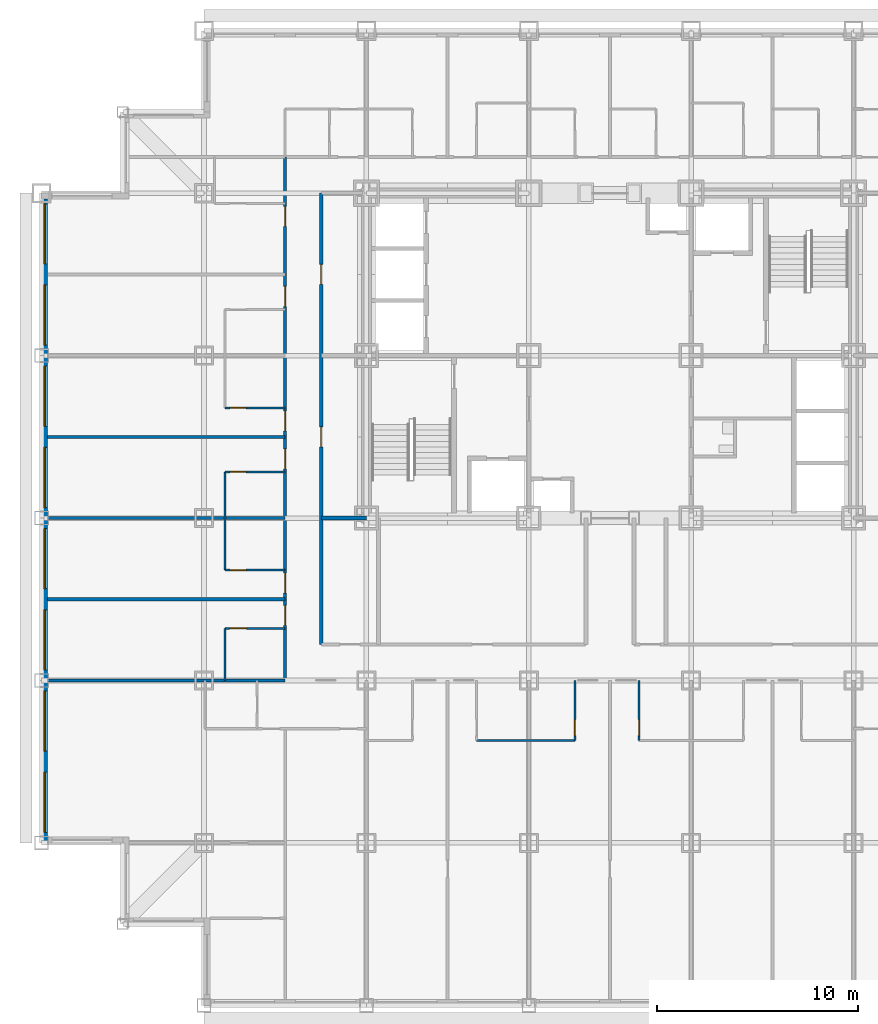
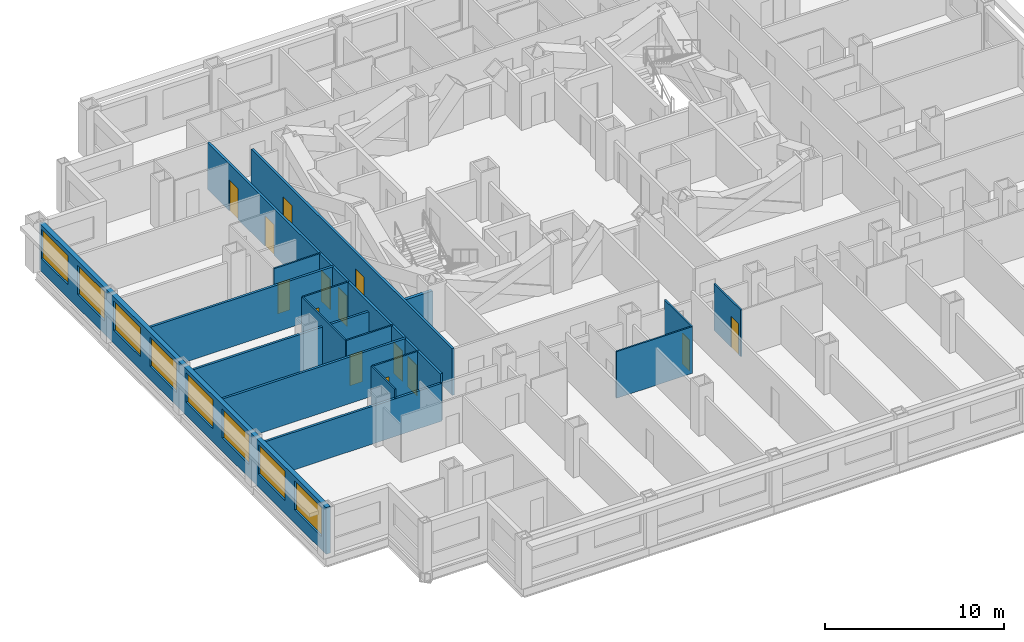
# One storey, part 4 of 12: 17 walls, 14 doors, 8 windows, 22 openings.
"""IFC4 building model written with IfcOpenShell, lengths in metres."""

from ifc_helpers import new_model, si_unit, direction, frame, frame_2d, origin, place, context, subcontext, project, spatial, rectangle, extrude, material, layer, layer_set, type_object, element, fill, save


model = new_model("IFC4")

# Units and contexts
model_context = context("Model", 3, precision=1e-05, world=origin(), true_north=direction((0.0, 1.0)))
body_context = subcontext(model_context, "Body", "Model", "MODEL_VIEW")
ifc_project = project(units=[si_unit("LENGTHUNIT", "METRE"), si_unit("AREAUNIT", "SQUARE_METRE"), si_unit("VOLUMEUNIT", "CUBIC_METRE"), si_unit("PLANEANGLEUNIT", "RADIAN"), si_unit("MASSUNIT", "GRAM", prefix="KILO")], contexts=[model_context])

# Site, building, storey
site_placement = place(None, origin())
site = spatial("IfcSite", under=ifc_project, at=site_placement, CompositionType="ELEMENT")
building_placement = place(site_placement, origin())
building = spatial("IfcBuilding", under=site, at=building_placement, Name="Kopane Lantern Tower", CompositionType="ELEMENT")
storey_placement = place(building_placement, frame((0.0, 0.0, 36.39990234375)))
storey = spatial("IfcBuildingStorey", under=building, at=storey_placement, Name="L07", CompositionType="ELEMENT", Elevation=36.39990234375)

# Wall
ifc_material_1 = material(Name="Moisture-resistant board on steel studs", Category="steel")
ifc_layer_1 = layer(ifc_material_1, 0.10009765625)
ifc_layer_set_1 = layer_set([ifc_layer_1], Name="BATHROOM WALL 100")
wall_type_1 = type_object("IfcWallType", Name="BATHROOM WALL 100", PredefinedType="PARTITIONING", material=ifc_layer_set_1)
wall_1_placement = place(storey_placement, frame((21.699951171875, 13.199951171875, 0.0), z_axis=(0.0, 0.0, 1.0), x_axis=(1.0, 0.0, 0.0)))
element("IfcWall", 1, at=wall_1_placement, inside=storey, type_object=wall_type_1, Name="Bathroom Wall 100 L07", PredefinedType="PARTITIONING", context=body_context, shape_type="SweptSolid", body=[
    extrude(rectangle(XDim=4.900146484375, YDim=0.10009765625, at=frame_2d((2.4501953125, 0.0))), origin(), (0.0, 0.0, 1.0), 3.190185546875),
])

# Wall, opening, door
wall_2_placement = place(storey_placement, frame((26.60009765625, 16.199951171875, 0.0), z_axis=(0.0, 0.0, 1.0), x_axis=(0.0, -1.0, 0.0)))
wall_2 = element("IfcWall", 2, at=wall_2_placement, inside=storey, type_object=wall_type_1, Name="Bathroom Wall 100 L07", PredefinedType="PARTITIONING", context=body_context, shape_type="SweptSolid", body=[
    extrude(rectangle(XDim=3.0, YDim=0.10009765625, at=frame_2d((1.5, 0.0))), origin(), (0.0, 0.0, 1.0), 3.190185546875),
])
opening_1_placement = place(wall_2_placement, frame((1.949951171875, 0.0, 0.0)))
opening_1 = element("IfcOpeningElement", 3, at=opening_1_placement, cuts=wall_2, Name="Opening L07-014", PredefinedType="OPENING", context=body_context, shape_type="SweptSolid", body=[
    extrude(rectangle(XDim=0.800048828125, YDim=2.10009765625, at=frame_2d((0.39990234375, 1.050048828125))), frame((0.0, 0.06005859375, 0.0), z_axis=(0.0, -1.0, 0.0), x_axis=(1.0, 0.0, 0.0)), (0.0, 0.0, 1.0), 0.1201171875),
])
ifc_material_2 = material(Name="Timber door set", Category="wood")
door_type_1 = type_object("IfcDoorType", Name="DOOR D2 800x2100", OperationType="SINGLE_SWING_LEFT", PredefinedType="DOOR", material=ifc_material_2)
door_1_placement = place(opening_1_placement, origin())
door_1 = element("IfcDoor", 4, at=door_1_placement, inside=storey, type_object=door_type_1, Name="Door L07-014", OperationType="SINGLE_SWING_LEFT", OverallHeight=2.10009765625, OverallWidth=0.800048828125, PredefinedType="DOOR", context=body_context, shape_type="SweptSolid", body=[
    extrude(rectangle(XDim=0.800048828125, YDim=2.10009765625, at=frame_2d((0.39990234375, 1.050048828125))), frame((0.0, 0.02490234375, 0.0), z_axis=(0.0, -1.0, 0.0), x_axis=(1.0, 0.0, 0.0)), (0.0, 0.0, 1.0), 0.050048828125),
])
fill(opening_1, door_1)

wall_3_placement = place(storey_placement, frame((29.800048828125, 16.199951171875, 0.0), z_axis=(0.0, 0.0, 1.0), x_axis=(0.0, -1.0, 0.0)))
wall_3 = element("IfcWall", 5, at=wall_3_placement, inside=storey, type_object=wall_type_1, Name="Bathroom Wall 100 L07", PredefinedType="PARTITIONING", context=body_context, shape_type="SweptSolid", body=[
    extrude(rectangle(XDim=3.0, YDim=0.10009765625, at=frame_2d((1.5, 0.0))), origin(), (0.0, 0.0, 1.0), 3.190185546875),
])
opening_2_placement = place(wall_3_placement, frame((1.949951171875, 0.0, 0.0)))
opening_2 = element("IfcOpeningElement", 6, at=opening_2_placement, cuts=wall_3, Name="Opening L07-016", PredefinedType="OPENING", context=body_context, shape_type="SweptSolid", body=[
    extrude(rectangle(XDim=0.800048828125, YDim=2.10009765625, at=frame_2d((0.39990234375, 1.050048828125))), frame((0.0, 0.06005859375, 0.0), z_axis=(0.0, -1.0, 0.0), x_axis=(1.0, 0.0, 0.0)), (0.0, 0.0, 1.0), 0.1201171875),
])
door_2_placement = place(opening_2_placement, origin())
door_2 = element("IfcDoor", 7, at=door_2_placement, inside=storey, type_object=door_type_1, Name="Door L07-016", OperationType="SINGLE_SWING_RIGHT", OverallHeight=2.10009765625, OverallWidth=0.800048828125, PredefinedType="DOOR", context=body_context, shape_type="SweptSolid", body=[
    extrude(rectangle(XDim=0.800048828125, YDim=2.10009765625, at=frame_2d((0.39990234375, 1.050048828125))), frame((0.0, 0.02490234375, 0.0), z_axis=(0.0, -1.0, 0.0), x_axis=(1.0, 0.0, 0.0)), (0.0, 0.0, 1.0), 0.050048828125),
])
fill(opening_2, door_2)

# Wall
wall_4_placement = place(storey_placement, frame((9.14990234375, 16.199951171875, 0.0), z_axis=(0.0, 0.0, 1.0), x_axis=(0.0, 1.0, 0.0)))
element("IfcWall", 8, at=wall_4_placement, inside=storey, type_object=wall_type_1, Name="Bathroom Wall 100 L07", PredefinedType="PARTITIONING", context=body_context, shape_type="SweptSolid", body=[
    extrude(rectangle(XDim=2.60009765625, YDim=0.10009765625, at=frame_2d((1.300048828125, 0.0))), origin(), (0.0, 0.0, 1.0), 3.190185546875),
])

# Wall, opening, door
wall_5_placement = place(storey_placement, frame((12.14990234375, 18.800048828125, 0.0), z_axis=(0.0, 0.0, 1.0), x_axis=(-1.0, 0.0, 0.0)))
wall_5 = element("IfcWall", 9, at=wall_5_placement, inside=storey, type_object=wall_type_1, Name="Bathroom Wall 100 L07", PredefinedType="PARTITIONING", context=body_context, shape_type="SweptSolid", body=[
    extrude(rectangle(XDim=3.0, YDim=0.10009765625, at=frame_2d((1.5, 0.0))), origin(), (0.0, 0.0, 1.0), 3.190185546875),
])
opening_3_placement = place(wall_5_placement, frame((1.925048828125, 0.0, 0.0)))
opening_3 = element("IfcOpeningElement", 10, at=opening_3_placement, cuts=wall_5, Name="Opening L07-035", PredefinedType="OPENING", context=body_context, shape_type="SweptSolid", body=[
    extrude(rectangle(XDim=0.85009765625, YDim=2.10009765625, at=frame_2d((0.425048828125, 1.050048828125))), frame((0.0, 0.06005859375, 0.0), z_axis=(0.0, -1.0, 0.0), x_axis=(1.0, 0.0, 0.0)), (0.0, 0.0, 1.0), 0.1201171875),
])
ifc_material_3 = material(Name="Timber door set", Category="wood")
door_type_2 = type_object("IfcDoorType", Name="DOOR D4 850x2100", OperationType="SINGLE_SWING_LEFT", PredefinedType="DOOR", material=ifc_material_3)
door_3_placement = place(opening_3_placement, origin())
door_3 = element("IfcDoor", 11, at=door_3_placement, inside=storey, type_object=door_type_2, Name="Door L07-035", OperationType="SINGLE_SWING_RIGHT", OverallHeight=2.10009765625, OverallWidth=0.85009765625, PredefinedType="DOOR", context=body_context, shape_type="SweptSolid", body=[
    extrude(rectangle(XDim=0.85009765625, YDim=2.10009765625, at=frame_2d((0.425048828125, 1.050048828125))), frame((0.0, 0.02490234375, 0.0), z_axis=(0.0, -1.0, 0.0), x_axis=(1.0, 0.0, 0.0)), (0.0, 0.0, 1.0), 0.050048828125),
])
fill(opening_3, door_3)

# Wall
wall_6_placement = place(storey_placement, frame((9.14990234375, 21.699951171875, 0.0), z_axis=(0.0, 0.0, 1.0), x_axis=(0.0, 1.0, 0.0)))
element("IfcWall", 12, at=wall_6_placement, inside=storey, type_object=wall_type_1, Name="Bathroom Wall 100 L07", PredefinedType="PARTITIONING", context=body_context, shape_type="SweptSolid", body=[
    extrude(rectangle(XDim=4.900146484375, YDim=0.10009765625, at=frame_2d((2.4501953125, 0.0))), origin(), (0.0, 0.0, 1.0), 3.190185546875),
])

# Wall, opening, door
wall_7_placement = place(storey_placement, frame((12.14990234375, 21.699951171875, 0.0), z_axis=(0.0, 0.0, 1.0), x_axis=(-1.0, 0.0, 0.0)))
wall_7 = element("IfcWall", 13, at=wall_7_placement, inside=storey, type_object=wall_type_1, Name="Bathroom Wall 100 L07", PredefinedType="PARTITIONING", context=body_context, shape_type="SweptSolid", body=[
    extrude(rectangle(XDim=3.0, YDim=0.10009765625, at=frame_2d((1.5, 0.0))), origin(), (0.0, 0.0, 1.0), 3.190185546875),
])
opening_4_placement = place(wall_7_placement, frame((1.949951171875, 0.0, 0.0)))
opening_4 = element("IfcOpeningElement", 14, at=opening_4_placement, cuts=wall_7, Name="Opening L07-037", PredefinedType="OPENING", context=body_context, shape_type="SweptSolid", body=[
    extrude(rectangle(XDim=0.800048828125, YDim=2.10009765625, at=frame_2d((0.39990234375, 1.050048828125))), frame((0.0, 0.06005859375, 0.0), z_axis=(0.0, -1.0, 0.0), x_axis=(1.0, 0.0, 0.0)), (0.0, 0.0, 1.0), 0.1201171875),
])
door_4_placement = place(opening_4_placement, origin())
door_4 = element("IfcDoor", 15, at=door_4_placement, inside=storey, type_object=door_type_1, Name="Door L07-037", OperationType="SINGLE_SWING_LEFT", OverallHeight=2.10009765625, OverallWidth=0.800048828125, PredefinedType="DOOR", context=body_context, shape_type="SweptSolid", body=[
    extrude(rectangle(XDim=0.800048828125, YDim=2.10009765625, at=frame_2d((0.39990234375, 1.050048828125))), frame((0.0, 0.02490234375, 0.0), z_axis=(0.0, -1.0, 0.0), x_axis=(1.0, 0.0, 0.0)), (0.0, 0.0, 1.0), 0.050048828125),
])
fill(opening_4, door_4)

wall_8_placement = place(storey_placement, frame((12.14990234375, 26.60009765625, 0.0), z_axis=(0.0, 0.0, 1.0), x_axis=(-1.0, 0.0, 0.0)))
wall_8 = element("IfcWall", 16, at=wall_8_placement, inside=storey, type_object=wall_type_1, Name="Bathroom Wall 100 L07", PredefinedType="PARTITIONING", context=body_context, shape_type="SweptSolid", body=[
    extrude(rectangle(XDim=3.0, YDim=0.10009765625, at=frame_2d((1.5, 0.0))), origin(), (0.0, 0.0, 1.0), 3.190185546875),
])
opening_5_placement = place(wall_8_placement, frame((1.949951171875, 0.0, 0.0)))
opening_5 = element("IfcOpeningElement", 17, at=opening_5_placement, cuts=wall_8, Name="Opening L07-039", PredefinedType="OPENING", context=body_context, shape_type="SweptSolid", body=[
    extrude(rectangle(XDim=0.800048828125, YDim=2.10009765625, at=frame_2d((0.39990234375, 1.050048828125))), frame((0.0, 0.06005859375, 0.0), z_axis=(0.0, -1.0, 0.0), x_axis=(1.0, 0.0, 0.0)), (0.0, 0.0, 1.0), 0.1201171875),
])
door_5_placement = place(opening_5_placement, origin())
door_5 = element("IfcDoor", 18, at=door_5_placement, inside=storey, type_object=door_type_1, Name="Door L07-039", OperationType="SINGLE_SWING_RIGHT", OverallHeight=2.10009765625, OverallWidth=0.800048828125, PredefinedType="DOOR", context=body_context, shape_type="SweptSolid", body=[
    extrude(rectangle(XDim=0.800048828125, YDim=2.10009765625, at=frame_2d((0.39990234375, 1.050048828125))), frame((0.0, 0.02490234375, 0.0), z_axis=(0.0, -1.0, 0.0), x_axis=(1.0, 0.0, 0.0)), (0.0, 0.0, 1.0), 0.050048828125),
])
fill(opening_5, door_5)

wall_9_placement = place(storey_placement, frame((12.14990234375, 29.800048828125, 0.0), z_axis=(0.0, 0.0, 1.0), x_axis=(-1.0, 0.0, 0.0)))
wall_9 = element("IfcWall", 19, at=wall_9_placement, inside=storey, type_object=wall_type_1, Name="Bathroom Wall 100 L07", PredefinedType="PARTITIONING", context=body_context, shape_type="SweptSolid", body=[
    extrude(rectangle(XDim=3.0, YDim=0.10009765625, at=frame_2d((1.5, 0.0))), origin(), (0.0, 0.0, 1.0), 3.190185546875),
])
opening_6_placement = place(wall_9_placement, frame((1.949951171875, 0.0, 0.0)))
opening_6 = element("IfcOpeningElement", 20, at=opening_6_placement, cuts=wall_9, Name="Opening L07-041", PredefinedType="OPENING", context=body_context, shape_type="SweptSolid", body=[
    extrude(rectangle(XDim=0.800048828125, YDim=2.10009765625, at=frame_2d((0.39990234375, 1.050048828125))), frame((0.0, 0.06005859375, 0.0), z_axis=(0.0, -1.0, 0.0), x_axis=(1.0, 0.0, 0.0)), (0.0, 0.0, 1.0), 0.1201171875),
])
door_6_placement = place(opening_6_placement, origin())
door_6 = element("IfcDoor", 21, at=door_6_placement, inside=storey, type_object=door_type_1, Name="Door L07-041", OperationType="SINGLE_SWING_LEFT", OverallHeight=2.10009765625, OverallWidth=0.800048828125, PredefinedType="DOOR", context=body_context, shape_type="SweptSolid", body=[
    extrude(rectangle(XDim=0.800048828125, YDim=2.10009765625, at=frame_2d((0.39990234375, 1.050048828125))), frame((0.0, 0.02490234375, 0.0), z_axis=(0.0, -1.0, 0.0), x_axis=(1.0, 0.0, 0.0)), (0.0, 0.0, 1.0), 0.050048828125),
])
fill(opening_6, door_6)

# Wall, openings, doors
ifc_material_4 = material(Name="Gypsum board on steel studs", Category="steel")
ifc_layer_2 = layer(ifc_material_4, 0.14990234375)
ifc_layer_set_2 = layer_set([ifc_layer_2], Name="CORRIDOR WALL 150 EI 60")
wall_type_2 = type_object("IfcWallType", Name="CORRIDOR WALL 150 EI 60", PredefinedType="PARTITIONING", material=ifc_layer_set_2)
wall_10_placement = place(storey_placement, frame((12.14990234375, 16.199951171875, 0.0), z_axis=(0.0, 0.0, 1.0), x_axis=(0.0, 1.0, 0.0)))
wall_10 = element("IfcWall", 22, at=wall_10_placement, inside=storey, type_object=wall_type_2, Name="Corridor Wall 150 Ei 60 L07", PredefinedType="PARTITIONING", context=body_context, shape_type="SweptSolid", body=[
    extrude(rectangle(XDim=26.10009765625, YDim=0.14990234375, at=frame_2d((13.050048828125, 0.0))), origin(), (0.0, 0.0, 1.0), 3.190185546875),
])
opening_7_placement = place(wall_10_placement, frame((2.75, 0.0, 0.0)))
opening_7 = element("IfcOpeningElement", 23, at=opening_7_placement, cuts=wall_10, Name="Opening L07-036", PredefinedType="OPENING", context=body_context, shape_type="SweptSolid", body=[
    extrude(rectangle(XDim=1.0, YDim=2.10009765625, at=frame_2d((0.5, 1.050048828125))), frame((0.0, 0.0849609375, 0.0), z_axis=(0.0, -1.0, 0.0), x_axis=(1.0, 0.0, 0.0)), (0.0, 0.0, 1.0), 0.169921875),
])
opening_8_placement = place(wall_10_placement, frame((4.35009765625, 0.0, 0.0)))
opening_8 = element("IfcOpeningElement", 24, at=opening_8_placement, cuts=wall_10, Name="Opening L07-038", PredefinedType="OPENING", context=body_context, shape_type="SweptSolid", body=[
    extrude(rectangle(XDim=1.0, YDim=2.10009765625, at=frame_2d((0.5, 1.050048828125))), frame((0.0, 0.0849609375, 0.0), z_axis=(0.0, -1.0, 0.0), x_axis=(1.0, 0.0, 0.0)), (0.0, 0.0, 1.0), 0.169921875),
])
opening_9_placement = place(wall_10_placement, frame((10.550048828125, 0.0, 0.0)))
opening_9 = element("IfcOpeningElement", 25, at=opening_9_placement, cuts=wall_10, Name="Opening L07-040", PredefinedType="OPENING", context=body_context, shape_type="SweptSolid", body=[
    extrude(rectangle(XDim=1.0, YDim=2.10009765625, at=frame_2d((0.5, 1.050048828125))), frame((0.0, 0.0849609375, 0.0), z_axis=(0.0, -1.0, 0.0), x_axis=(1.0, 0.0, 0.0)), (0.0, 0.0, 1.0), 0.169921875),
])
opening_10_placement = place(wall_10_placement, frame((12.449951171875, 0.0, 0.0)))
opening_10 = element("IfcOpeningElement", 26, at=opening_10_placement, cuts=wall_10, Name="Opening L07-042", PredefinedType="OPENING", context=body_context, shape_type="SweptSolid", body=[
    extrude(rectangle(XDim=1.0, YDim=2.10009765625, at=frame_2d((0.5, 1.050048828125))), frame((0.0, 0.0849609375, 0.0), z_axis=(0.0, -1.0, 0.0), x_axis=(1.0, 0.0, 0.0)), (0.0, 0.0, 1.0), 0.169921875),
])
opening_11_placement = place(wall_10_placement, frame((18.64990234375, 0.0, 0.0)))
opening_11 = element("IfcOpeningElement", 27, at=opening_11_placement, cuts=wall_10, Name="Opening L07-044", PredefinedType="OPENING", context=body_context, shape_type="SweptSolid", body=[
    extrude(rectangle(XDim=1.0, YDim=2.10009765625, at=frame_2d((0.5, 1.050048828125))), frame((0.0, 0.0849609375, 0.0), z_axis=(0.0, -1.0, 0.0), x_axis=(1.0, 0.0, 0.0)), (0.0, 0.0, 1.0), 0.169921875),
])
opening_12_placement = place(wall_10_placement, frame((22.64990234375, 0.0, 0.0)))
opening_12 = element("IfcOpeningElement", 28, at=opening_12_placement, cuts=wall_10, Name="Opening L07-046", PredefinedType="OPENING", context=body_context, shape_type="SweptSolid", body=[
    extrude(rectangle(XDim=1.0, YDim=2.10009765625, at=frame_2d((0.5, 1.050048828125))), frame((0.0, 0.0849609375, 0.0), z_axis=(0.0, -1.0, 0.0), x_axis=(1.0, 0.0, 0.0)), (0.0, 0.0, 1.0), 0.169921875),
])
ifc_material_5 = material(Name="Steel door set", Category="steel")
door_type_3 = type_object("IfcDoorType", Name="DOOR D1 1000x2100 FD30S", OperationType="SINGLE_SWING_LEFT", PredefinedType="DOOR", material=ifc_material_5)
door_7_placement = place(opening_7_placement, origin())
door_7 = element("IfcDoor", 29, at=door_7_placement, inside=storey, type_object=door_type_3, Name="Door L07-036", OperationType="SINGLE_SWING_LEFT", OverallHeight=2.10009765625, OverallWidth=1.0, PredefinedType="DOOR", context=body_context, shape_type="SweptSolid", body=[
    extrude(rectangle(XDim=1.0, YDim=2.10009765625, at=frame_2d((0.5, 1.050048828125))), frame((0.0, 0.02490234375, 0.0), z_axis=(0.0, -1.0, 0.0), x_axis=(1.0, 0.0, 0.0)), (0.0, 0.0, 1.0), 0.050048828125),
])
fill(opening_7, door_7)
door_8_placement = place(opening_8_placement, origin())
door_8 = element("IfcDoor", 30, at=door_8_placement, inside=storey, type_object=door_type_3, Name="Door L07-038", OperationType="SINGLE_SWING_RIGHT", OverallHeight=2.10009765625, OverallWidth=1.0, PredefinedType="DOOR", context=body_context, shape_type="SweptSolid", body=[
    extrude(rectangle(XDim=1.0, YDim=2.10009765625, at=frame_2d((0.5, 1.050048828125))), frame((0.0, 0.02490234375, 0.0), z_axis=(0.0, -1.0, 0.0), x_axis=(1.0, 0.0, 0.0)), (0.0, 0.0, 1.0), 0.050048828125),
])
fill(opening_8, door_8)
door_9_placement = place(opening_9_placement, origin())
door_9 = element("IfcDoor", 31, at=door_9_placement, inside=storey, type_object=door_type_3, Name="Door L07-040", OperationType="SINGLE_SWING_LEFT", OverallHeight=2.10009765625, OverallWidth=1.0, PredefinedType="DOOR", context=body_context, shape_type="SweptSolid", body=[
    extrude(rectangle(XDim=1.0, YDim=2.10009765625, at=frame_2d((0.5, 1.050048828125))), frame((0.0, 0.02490234375, 0.0), z_axis=(0.0, -1.0, 0.0), x_axis=(1.0, 0.0, 0.0)), (0.0, 0.0, 1.0), 0.050048828125),
])
fill(opening_9, door_9)
door_10_placement = place(opening_10_placement, origin())
door_10 = element("IfcDoor", 32, at=door_10_placement, inside=storey, type_object=door_type_3, Name="Door L07-042", OperationType="SINGLE_SWING_RIGHT", OverallHeight=2.10009765625, OverallWidth=1.0, PredefinedType="DOOR", context=body_context, shape_type="SweptSolid", body=[
    extrude(rectangle(XDim=1.0, YDim=2.10009765625, at=frame_2d((0.5, 1.050048828125))), frame((0.0, 0.02490234375, 0.0), z_axis=(0.0, -1.0, 0.0), x_axis=(1.0, 0.0, 0.0)), (0.0, 0.0, 1.0), 0.050048828125),
])
fill(opening_10, door_10)
door_11_placement = place(opening_11_placement, origin())
door_11 = element("IfcDoor", 33, at=door_11_placement, inside=storey, type_object=door_type_3, Name="Door L07-044", OperationType="SINGLE_SWING_LEFT", OverallHeight=2.10009765625, OverallWidth=1.0, PredefinedType="DOOR", context=body_context, shape_type="SweptSolid", body=[
    extrude(rectangle(XDim=1.0, YDim=2.10009765625, at=frame_2d((0.5, 1.050048828125))), frame((0.0, 0.02490234375, 0.0), z_axis=(0.0, -1.0, 0.0), x_axis=(1.0, 0.0, 0.0)), (0.0, 0.0, 1.0), 0.050048828125),
])
fill(opening_11, door_11)
door_12_placement = place(opening_12_placement, origin())
door_12 = element("IfcDoor", 34, at=door_12_placement, inside=storey, type_object=door_type_3, Name="Door L07-046", OperationType="SINGLE_SWING_RIGHT", OverallHeight=2.10009765625, OverallWidth=1.0, PredefinedType="DOOR", context=body_context, shape_type="SweptSolid", body=[
    extrude(rectangle(XDim=1.0, YDim=2.10009765625, at=frame_2d((0.5, 1.050048828125))), frame((0.0, 0.02490234375, 0.0), z_axis=(0.0, -1.0, 0.0), x_axis=(1.0, 0.0, 0.0)), (0.0, 0.0, 1.0), 0.050048828125),
])
fill(opening_12, door_12)

wall_11_placement = place(storey_placement, frame((13.949951171875, 40.5, 0.0), z_axis=(0.0, 0.0, 1.0), x_axis=(0.0, -1.0, 0.0)))
wall_11 = element("IfcWall", 35, at=wall_11_placement, inside=storey, type_object=wall_type_2, Name="Corridor Wall 150 Ei 60 L07", PredefinedType="PARTITIONING", context=body_context, shape_type="SweptSolid", body=[
    extrude(rectangle(XDim=22.5, YDim=0.14990234375, at=frame_2d((11.25, 0.0))), origin(), (0.0, 0.0, 1.0), 3.190185546875),
])
opening_13_placement = place(wall_11_placement, frame((11.64990234375, 0.0, 0.0)))
opening_13 = element("IfcOpeningElement", 36, at=opening_13_placement, cuts=wall_11, Name="Opening L07-001", PredefinedType="OPENING", context=body_context, shape_type="SweptSolid", body=[
    extrude(rectangle(XDim=1.0, YDim=2.10009765625, at=frame_2d((0.5, 1.050048828125))), frame((0.0, 0.0849609375, 0.0), z_axis=(0.0, -1.0, 0.0), x_axis=(1.0, 0.0, 0.0)), (0.0, 0.0, 1.0), 0.169921875),
])
opening_14_placement = place(wall_11_placement, frame((3.550048828125, 0.0, 0.0)))
opening_14 = element("IfcOpeningElement", 37, at=opening_14_placement, cuts=wall_11, Name="Opening L07-002", PredefinedType="OPENING", context=body_context, shape_type="SweptSolid", body=[
    extrude(rectangle(XDim=1.0, YDim=2.10009765625, at=frame_2d((0.5, 1.050048828125))), frame((0.0, 0.0849609375, 0.0), z_axis=(0.0, -1.0, 0.0), x_axis=(1.0, 0.0, 0.0)), (0.0, 0.0, 1.0), 0.169921875),
])
ifc_material_6 = material(Name="Steel door set", Category="steel")
door_type_4 = type_object("IfcDoorType", Name="DOOR D5 1000x2100 FD60", OperationType="SINGLE_SWING_LEFT", PredefinedType="DOOR", material=ifc_material_6)
door_13_placement = place(opening_13_placement, origin())
door_13 = element("IfcDoor", 38, at=door_13_placement, inside=storey, type_object=door_type_4, Name="Door L07-001", OperationType="SINGLE_SWING_RIGHT", OverallHeight=2.10009765625, OverallWidth=1.0, PredefinedType="DOOR", context=body_context, shape_type="SweptSolid", body=[
    extrude(rectangle(XDim=1.0, YDim=2.10009765625, at=frame_2d((0.5, 1.050048828125))), frame((0.0, 0.02490234375, 0.0), z_axis=(0.0, -1.0, 0.0), x_axis=(1.0, 0.0, 0.0)), (0.0, 0.0, 1.0), 0.050048828125),
])
fill(opening_13, door_13)
door_14_placement = place(opening_14_placement, origin())
door_14 = element("IfcDoor", 39, at=door_14_placement, inside=storey, type_object=door_type_4, Name="Door L07-002", OperationType="SINGLE_SWING_LEFT", OverallHeight=2.10009765625, OverallWidth=1.0, PredefinedType="DOOR", context=body_context, shape_type="SweptSolid", body=[
    extrude(rectangle(XDim=1.0, YDim=2.10009765625, at=frame_2d((0.5, 1.050048828125))), frame((0.0, 0.02490234375, 0.0), z_axis=(0.0, -1.0, 0.0), x_axis=(1.0, 0.0, 0.0)), (0.0, 0.0, 1.0), 0.050048828125),
])
fill(opening_14, door_14)

# Walls
ifc_material_7 = material(Name="Gypsum board on steel studs", Category="steel")
ifc_layer_3 = layer(ifc_material_7, 0.14990234375)
ifc_layer_set_3 = layer_set([ifc_layer_3], Name="DEMISING WALL 150 EI 60")
wall_type_3 = type_object("IfcWallType", Name="DEMISING WALL 150 EI 60", PredefinedType="PARTITIONING", material=ifc_layer_set_3)
wall_12_placement = place(storey_placement, frame((12.14990234375, 20.25, 0.0), z_axis=(0.0, 0.0, 1.0), x_axis=(-1.0, 0.0, 0.0)))
element("IfcWall", 40, at=wall_12_placement, inside=storey, type_object=wall_type_3, Name="Demising Wall 150 Ei 60 L07", PredefinedType="PARTITIONING", context=body_context, shape_type="SweptSolid", body=[
    extrude(rectangle(XDim=11.849853515625, YDim=0.14990234375, at=frame_2d((5.9248046875, 0.0))), origin(), (0.0, 0.0, 1.0), 3.190185546875),
])
wall_13_placement = place(storey_placement, frame((12.14990234375, 24.300048828125, 0.0), z_axis=(0.0, 0.0, 1.0), x_axis=(-1.0, 0.0, 0.0)))
element("IfcWall", 41, at=wall_13_placement, inside=storey, type_object=wall_type_3, Name="Demising Wall 150 Ei 60 L07", PredefinedType="PARTITIONING", context=body_context, shape_type="SweptSolid", body=[
    extrude(rectangle(XDim=11.849853515625, YDim=0.14990234375, at=frame_2d((5.9248046875, 0.0))), origin(), (0.0, 0.0, 1.0), 2.577880859375),
])
wall_14_placement = place(storey_placement, frame((12.14990234375, 28.35009765625, 0.0), z_axis=(0.0, 0.0, 1.0), x_axis=(-1.0, 0.0, 0.0)))
element("IfcWall", 42, at=wall_14_placement, inside=storey, type_object=wall_type_3, Name="Demising Wall 150 Ei 60 L07", PredefinedType="PARTITIONING", context=body_context, shape_type="SweptSolid", body=[
    extrude(rectangle(XDim=11.849853515625, YDim=0.14990234375, at=frame_2d((5.9248046875, 0.0))), origin(), (0.0, 0.0, 1.0), 3.190185546875),
])
wall_15_placement = place(storey_placement, frame((0.300048828125, 16.199951171875, 0.0), z_axis=(0.0, 0.0, 1.0), x_axis=(1.0, 0.0, 0.0)))
element("IfcWall", 43, at=wall_15_placement, inside=storey, type_object=wall_type_3, Name="Demising Wall 150 Ei 60 L07", PredefinedType="PARTITIONING", context=body_context, shape_type="SweptSolid", body=[
    extrude(rectangle(XDim=11.849853515625, YDim=0.14990234375, at=frame_2d((5.9248046875, 0.0))), origin(), (0.0, 0.0, 1.0), 2.577880859375),
])

# Wall, openings, windows
ifc_material_8 = material(Name="Terracotta rainscreen on light steel framing", Category="masonry")
ifc_layer_4 = layer(ifc_material_8, 0.300048828125)
ifc_layer_set_4 = layer_set([ifc_layer_4], Name="EXTERNAL WALL EW1 300 TERRACOTTA")
wall_type_4 = type_object("IfcWallType", Name="EXTERNAL WALL EW1 300 TERRACOTTA", PredefinedType="SOLIDWALL", material=ifc_layer_set_4)
wall_16_placement = place(storey_placement, frame((0.14990234375, 40.199951171875, 0.0), z_axis=(0.0, 0.0, 1.0), x_axis=(0.0, -1.0, 0.0)))
wall_16 = element("IfcWall", 44, at=wall_16_placement, inside=storey, type_object=wall_type_4, Name="External wall W L07", PredefinedType="SOLIDWALL", context=body_context, shape_type="SweptSolid", body=[
    extrude(rectangle(XDim=32.099853515625, YDim=0.300048828125, at=frame_2d((16.0498046875, 0.0))), origin(), (0.0, 0.0, 1.0), 3.190185546875),
])
opening_15_placement = place(wall_16_placement, frame((0.22509765625, 0.0, 0.89990234375)))
opening_15 = element("IfcOpeningElement", 45, at=opening_15_placement, cuts=wall_16, Name="Opening WR300200", PredefinedType="OPENING", context=body_context, shape_type="SweptSolid", body=[
    extrude(rectangle(XDim=3.0, YDim=2.0, at=frame_2d((1.5, 1.0))), frame((0.0, 0.159912109375, 0.0), z_axis=(0.0, -1.0, 0.0), x_axis=(1.0, 0.0, 0.0)), (0.0, 0.0, 1.0), 0.320068359375),
])
opening_16_placement = place(wall_16_placement, frame((4.27490234375, 0.0, 0.89990234375)))
opening_16 = element("IfcOpeningElement", 46, at=opening_16_placement, cuts=wall_16, Name="Opening WR300200", PredefinedType="OPENING", context=body_context, shape_type="SweptSolid", body=[
    extrude(rectangle(XDim=3.0, YDim=2.0, at=frame_2d((1.5, 1.0))), frame((0.0, 0.159912109375, 0.0), z_axis=(0.0, -1.0, 0.0), x_axis=(1.0, 0.0, 0.0)), (0.0, 0.0, 1.0), 0.320068359375),
])
opening_17_placement = place(wall_16_placement, frame((8.324951171875, 0.0, 0.89990234375)))
opening_17 = element("IfcOpeningElement", 47, at=opening_17_placement, cuts=wall_16, Name="Opening WR300200", PredefinedType="OPENING", context=body_context, shape_type="SweptSolid", body=[
    extrude(rectangle(XDim=3.0, YDim=2.0, at=frame_2d((1.5, 1.0))), frame((0.0, 0.159912109375, 0.0), z_axis=(0.0, -1.0, 0.0), x_axis=(1.0, 0.0, 0.0)), (0.0, 0.0, 1.0), 0.320068359375),
])
opening_18_placement = place(wall_16_placement, frame((12.375, 0.0, 0.89990234375)))
opening_18 = element("IfcOpeningElement", 48, at=opening_18_placement, cuts=wall_16, Name="Opening WR300200", PredefinedType="OPENING", context=body_context, shape_type="SweptSolid", body=[
    extrude(rectangle(XDim=3.0, YDim=2.0, at=frame_2d((1.5, 1.0))), frame((0.0, 0.159912109375, 0.0), z_axis=(0.0, -1.0, 0.0), x_axis=(1.0, 0.0, 0.0)), (0.0, 0.0, 1.0), 0.320068359375),
])
opening_19_placement = place(wall_16_placement, frame((16.425048828125, 0.0, 0.89990234375)))
opening_19 = element("IfcOpeningElement", 49, at=opening_19_placement, cuts=wall_16, Name="Opening WR300200", PredefinedType="OPENING", context=body_context, shape_type="SweptSolid", body=[
    extrude(rectangle(XDim=3.0, YDim=2.0, at=frame_2d((1.5, 1.0))), frame((0.0, 0.159912109375, 0.0), z_axis=(0.0, -1.0, 0.0), x_axis=(1.0, 0.0, 0.0)), (0.0, 0.0, 1.0), 0.320068359375),
])
opening_20_placement = place(wall_16_placement, frame((20.47509765625, 0.0, 0.89990234375)))
opening_20 = element("IfcOpeningElement", 50, at=opening_20_placement, cuts=wall_16, Name="Opening WR300200", PredefinedType="OPENING", context=body_context, shape_type="SweptSolid", body=[
    extrude(rectangle(XDim=3.0, YDim=2.0, at=frame_2d((1.5, 1.0))), frame((0.0, 0.159912109375, 0.0), z_axis=(0.0, -1.0, 0.0), x_axis=(1.0, 0.0, 0.0)), (0.0, 0.0, 1.0), 0.320068359375),
])
opening_21_placement = place(wall_16_placement, frame((24.52490234375, 0.0, 0.89990234375)))
opening_21 = element("IfcOpeningElement", 51, at=opening_21_placement, cuts=wall_16, Name="Opening WR300200", PredefinedType="OPENING", context=body_context, shape_type="SweptSolid", body=[
    extrude(rectangle(XDim=3.0, YDim=2.0, at=frame_2d((1.5, 1.0))), frame((0.0, 0.159912109375, 0.0), z_axis=(0.0, -1.0, 0.0), x_axis=(1.0, 0.0, 0.0)), (0.0, 0.0, 1.0), 0.320068359375),
])
opening_22_placement = place(wall_16_placement, frame((28.574951171875, 0.0, 0.89990234375)))
opening_22 = element("IfcOpeningElement", 52, at=opening_22_placement, cuts=wall_16, Name="Opening WR300200", PredefinedType="OPENING", context=body_context, shape_type="SweptSolid", body=[
    extrude(rectangle(XDim=3.0, YDim=2.0, at=frame_2d((1.5, 1.0))), frame((0.0, 0.159912109375, 0.0), z_axis=(0.0, -1.0, 0.0), x_axis=(1.0, 0.0, 0.0)), (0.0, 0.0, 1.0), 0.320068359375),
])
ifc_material_9 = material(Name="Aluminium and clear glass", Category="aluminium")
window_type = type_object("IfcWindowType", Name="RIBBON WINDOW WR300200 3000x2000", PartitioningType="SINGLE_PANEL", PredefinedType="WINDOW", material=ifc_material_9)
window_1_placement = place(opening_15_placement, origin())
window_1 = element("IfcWindow", 53, at=window_1_placement, inside=storey, type_object=window_type, Name="Window W L07", OverallHeight=2.0, OverallWidth=3.0, PartitioningType="SINGLE_PANEL", PredefinedType="WINDOW", context=body_context, shape_type="SweptSolid", body=[
    extrude(rectangle(XDim=3.0, YDim=2.0, at=frame_2d((1.5, 1.0))), frame((0.0, 0.030029296875, 0.0), z_axis=(0.0, -1.0, 0.0), x_axis=(1.0, 0.0, 0.0)), (0.0, 0.0, 1.0), 0.06005859375),
])
fill(opening_15, window_1)
window_2_placement = place(opening_16_placement, origin())
window_2 = element("IfcWindow", 54, at=window_2_placement, inside=storey, type_object=window_type, Name="Window W L07", OverallHeight=2.0, OverallWidth=3.0, PartitioningType="SINGLE_PANEL", PredefinedType="WINDOW", context=body_context, shape_type="SweptSolid", body=[
    extrude(rectangle(XDim=3.0, YDim=2.0, at=frame_2d((1.5, 1.0))), frame((0.0, 0.030029296875, 0.0), z_axis=(0.0, -1.0, 0.0), x_axis=(1.0, 0.0, 0.0)), (0.0, 0.0, 1.0), 0.06005859375),
])
fill(opening_16, window_2)
window_3_placement = place(opening_17_placement, origin())
window_3 = element("IfcWindow", 55, at=window_3_placement, inside=storey, type_object=window_type, Name="Window W L07", OverallHeight=2.0, OverallWidth=3.0, PartitioningType="SINGLE_PANEL", PredefinedType="WINDOW", context=body_context, shape_type="SweptSolid", body=[
    extrude(rectangle(XDim=3.0, YDim=2.0, at=frame_2d((1.5, 1.0))), frame((0.0, 0.030029296875, 0.0), z_axis=(0.0, -1.0, 0.0), x_axis=(1.0, 0.0, 0.0)), (0.0, 0.0, 1.0), 0.06005859375),
])
fill(opening_17, window_3)
window_4_placement = place(opening_18_placement, origin())
window_4 = element("IfcWindow", 56, at=window_4_placement, inside=storey, type_object=window_type, Name="Window W L07", OverallHeight=2.0, OverallWidth=3.0, PartitioningType="SINGLE_PANEL", PredefinedType="WINDOW", context=body_context, shape_type="SweptSolid", body=[
    extrude(rectangle(XDim=3.0, YDim=2.0, at=frame_2d((1.5, 1.0))), frame((0.0, 0.030029296875, 0.0), z_axis=(0.0, -1.0, 0.0), x_axis=(1.0, 0.0, 0.0)), (0.0, 0.0, 1.0), 0.06005859375),
])
fill(opening_18, window_4)
window_5_placement = place(opening_19_placement, origin())
window_5 = element("IfcWindow", 57, at=window_5_placement, inside=storey, type_object=window_type, Name="Window W L07", OverallHeight=2.0, OverallWidth=3.0, PartitioningType="SINGLE_PANEL", PredefinedType="WINDOW", context=body_context, shape_type="SweptSolid", body=[
    extrude(rectangle(XDim=3.0, YDim=2.0, at=frame_2d((1.5, 1.0))), frame((0.0, 0.030029296875, 0.0), z_axis=(0.0, -1.0, 0.0), x_axis=(1.0, 0.0, 0.0)), (0.0, 0.0, 1.0), 0.06005859375),
])
fill(opening_19, window_5)
window_6_placement = place(opening_20_placement, origin())
window_6 = element("IfcWindow", 58, at=window_6_placement, inside=storey, type_object=window_type, Name="Window W L07", OverallHeight=2.0, OverallWidth=3.0, PartitioningType="SINGLE_PANEL", PredefinedType="WINDOW", context=body_context, shape_type="SweptSolid", body=[
    extrude(rectangle(XDim=3.0, YDim=2.0, at=frame_2d((1.5, 1.0))), frame((0.0, 0.030029296875, 0.0), z_axis=(0.0, -1.0, 0.0), x_axis=(1.0, 0.0, 0.0)), (0.0, 0.0, 1.0), 0.06005859375),
])
fill(opening_20, window_6)
window_7_placement = place(opening_21_placement, origin())
window_7 = element("IfcWindow", 59, at=window_7_placement, inside=storey, type_object=window_type, Name="Window W L07", OverallHeight=2.0, OverallWidth=3.0, PartitioningType="SINGLE_PANEL", PredefinedType="WINDOW", context=body_context, shape_type="SweptSolid", body=[
    extrude(rectangle(XDim=3.0, YDim=2.0, at=frame_2d((1.5, 1.0))), frame((0.0, 0.030029296875, 0.0), z_axis=(0.0, -1.0, 0.0), x_axis=(1.0, 0.0, 0.0)), (0.0, 0.0, 1.0), 0.06005859375),
])
fill(opening_21, window_7)
window_8_placement = place(opening_22_placement, origin())
window_8 = element("IfcWindow", 60, at=window_8_placement, inside=storey, type_object=window_type, Name="Window W L07", OverallHeight=2.0, OverallWidth=3.0, PartitioningType="SINGLE_PANEL", PredefinedType="WINDOW", context=body_context, shape_type="SweptSolid", body=[
    extrude(rectangle(XDim=3.0, YDim=2.0, at=frame_2d((1.5, 1.0))), frame((0.0, 0.030029296875, 0.0), z_axis=(0.0, -1.0, 0.0), x_axis=(1.0, 0.0, 0.0)), (0.0, 0.0, 1.0), 0.06005859375),
])
fill(opening_22, window_8)

# Wall
ifc_material_10 = material(Name="Concrete masonry", Category="masonry")
ifc_layer_5 = layer(ifc_material_10, 0.199951171875)
ifc_layer_set_5 = layer_set([ifc_layer_5], Name="PLANT ROOM WALL 200 EI 120")
wall_type_5 = type_object("IfcWallType", Name="PLANT ROOM WALL 200 EI 120", PredefinedType="SOLIDWALL", material=ifc_layer_set_5)
wall_17_placement = place(storey_placement, frame((13.949951171875, 24.300048828125, 0.0), z_axis=(0.0, 0.0, 1.0), x_axis=(1.0, 0.0, 0.0)))
element("IfcWall", 61, at=wall_17_placement, inside=storey, type_object=wall_type_5, Name="Plant Room Wall 200 Ei 120 L07", PredefinedType="SOLIDWALL", context=body_context, shape_type="SweptSolid", body=[
    extrude(rectangle(XDim=2.25, YDim=0.199951171875, at=frame_2d((1.125, 0.0))), origin(), (0.0, 0.0, 1.0), 2.577880859375),
])

save(model, "model.ifc")
